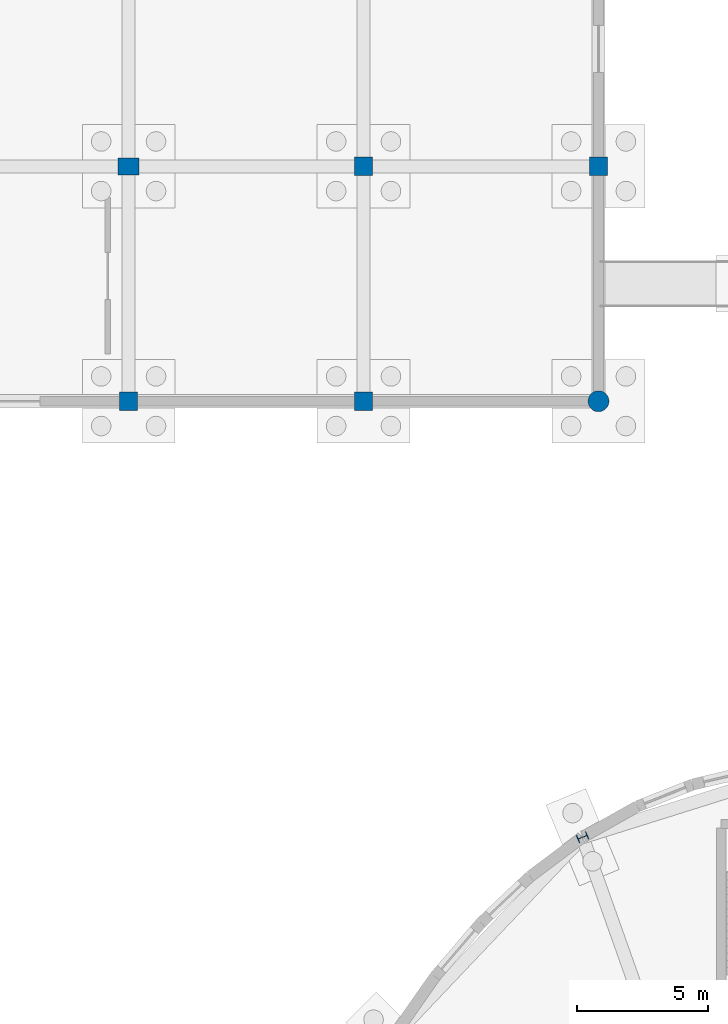
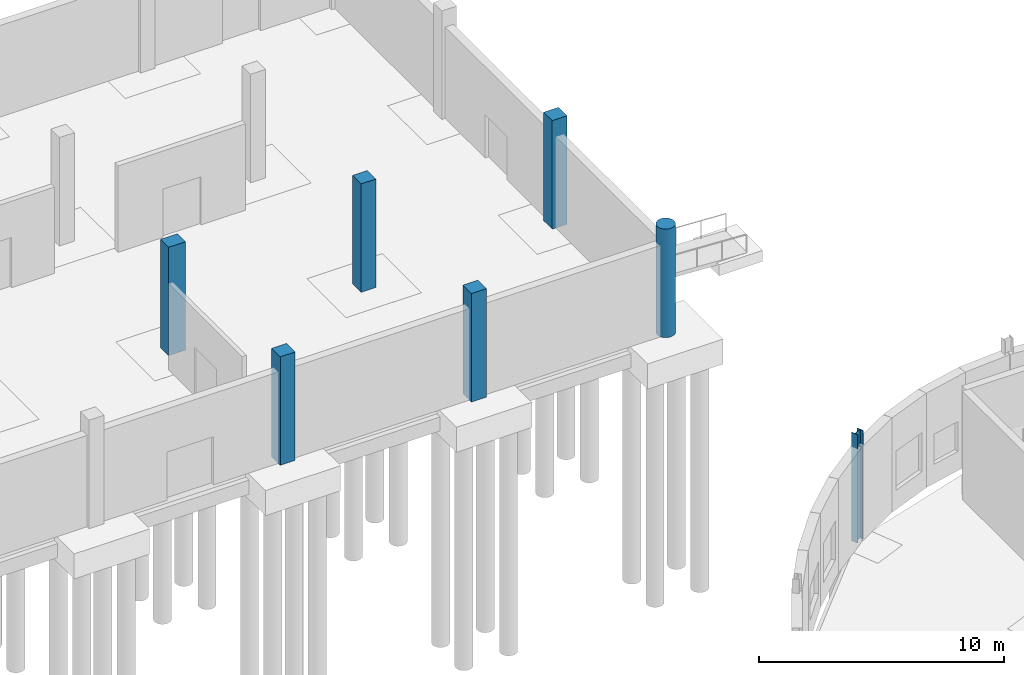
# One storey, part 49 of 118: 7 columns.
"""IFC4 building model written with IfcOpenShell, lengths in metres."""

from ifc_helpers import new_model, si_unit, direction, frame, origin, origin_2d, place, context, subcontext, project, spatial, rectangle, circle, i_section, extrude, material, material_profile, profile_set, type_object, element, save


model = new_model("IFC4")

# Units and contexts
model_context = context("Model", 3, precision=1e-05, world=origin(), true_north=direction((0.0, 1.0)))
body_context = subcontext(model_context, "Body", "Model", "MODEL_VIEW")
ifc_project = project(units=[si_unit("LENGTHUNIT", "METRE"), si_unit("AREAUNIT", "SQUARE_METRE"), si_unit("VOLUMEUNIT", "CUBIC_METRE"), si_unit("PLANEANGLEUNIT", "RADIAN"), si_unit("MASSUNIT", "GRAM", prefix="KILO")], contexts=[model_context])

# Site, building, storey
site_placement = place(None, origin())
site = spatial("IfcSite", under=ifc_project, at=site_placement, CompositionType="ELEMENT")
building_placement = place(site_placement, origin())
building = spatial("IfcBuilding", under=site, at=building_placement, Name="Kildeholm Park Wholesale Market", CompositionType="ELEMENT")
storey_placement = place(building_placement, origin())
storey = spatial("IfcBuildingStorey", under=building, at=storey_placement, Name="L00", CompositionType="ELEMENT", Elevation=0.0)

# Columns
ifc_material_1 = material(Name="Concrete C40/50", Category="concrete")
ifc_material_profile_1 = material_profile(ifc_material_1, rectangle(XDim=0.699951171875, YDim=0.699951171875, at=origin_2d()), Name="RC 700x700")
ifc_profile_set_1 = profile_set([ifc_material_profile_1], Name="Concrete C40/50")
column_type_1 = type_object("IfcColumnType", Name="Column C-R03 RC 700x700", PredefinedType="COLUMN", material=ifc_profile_set_1)
for number, where, z_axis, x_axis, name in (
    (1, (162.0, 144.0, 0.0), (0.0, 0.0, 1.0), (1.0, 0.0, 0.0), "Column V4-162-144 L00 COL-0607"),
    (2, (171.0, 144.0, 0.0), (0.0, 0.0, 1.0), (1.0, 0.0, 0.0), "Column V4-171-144 L00 COL-0618"),
    (3, (171.0, 153.0, 0.0), (0.0, 0.0, 1.0), (1.0, 0.0, 0.0), "Column V4-171-153 L00 COL-0620"),
    (4, (180.0, 153.0, 0.0), (0.0, 0.0, 1.0), (1.0, 0.0, 0.0), "Column V4-180-153 L00 COL-0631"),
):
    element("IfcColumn", number, at=place(storey_placement, frame(where, z_axis=z_axis, x_axis=x_axis)), inside=storey, type_object=column_type_1, Name=name, PredefinedType="COLUMN", context=body_context, shape_type="SweptSolid", body=[
        extrude(rectangle(XDim=0.699951171875, YDim=0.699951171875, at=origin_2d()), origin(), (0.0, 0.0, 1.0), 5.39990234375),
    ])
ifc_material_profile_2 = material_profile(ifc_material_1, rectangle(XDim=0.800048828125, YDim=0.64990234375, at=origin_2d()), Name="RC 800x650")
ifc_profile_set_2 = profile_set([ifc_material_profile_2], Name="Concrete C40/50")
column_type_2 = type_object("IfcColumnType", Name="Column C-R04 RC 800x650", PredefinedType="COLUMN", material=ifc_profile_set_2)
column_1_placement = place(storey_placement, frame((162.0, 153.0, 0.0), z_axis=(0.0, 0.0, 1.0), x_axis=(1.0, 0.0, 0.0)))
element("IfcColumn", 5, at=column_1_placement, inside=storey, type_object=column_type_2, Name="Column V4-162-153 L00 COL-0609", PredefinedType="COLUMN", context=body_context, shape_type="SweptSolid", body=[
    extrude(rectangle(XDim=0.800048828125, YDim=0.64990234375, at=origin_2d()), origin(), (0.0, 0.0, 1.0), 5.39990234375),
])
ifc_material_profile_3 = material_profile(ifc_material_1, circle(Radius=0.39990234375, at=origin_2d()), Name="RC D800")
ifc_profile_set_3 = profile_set([ifc_material_profile_3], Name="Concrete C40/50")
column_type_3 = type_object("IfcColumnType", Name="Column C-R05 RC D800", PredefinedType="COLUMN", material=ifc_profile_set_3)
column_2_placement = place(storey_placement, frame((180.0, 144.0, 0.0), z_axis=(0.0, 0.0, 1.0), x_axis=(1.0, 0.0, 0.0)))
element("IfcColumn", 6, at=column_2_placement, inside=storey, type_object=column_type_3, Name="Column V4-180-144 L00 COL-0629", PredefinedType="COLUMN", context=body_context, shape_type="SweptSolid", body=[
    extrude(circle(Radius=0.39990234375, at=origin_2d()), origin(), (0.0, 0.0, 1.0), 5.39990234375),
])
ifc_material_2 = material(Name="Steel S355", Category="steel")
ifc_material_profile_4 = material_profile(ifc_material_2, i_section(OverallWidth=0.300048828125, OverallDepth=0.39990234375, WebThickness=0.013427734375, FlangeThickness=0.02392578125, FilletRadius=0.027099609375, at=origin_2d()), Name="HEB 400")
ifc_profile_set_4 = profile_set([ifc_material_profile_4], Name="Steel S355")
column_type_4 = type_object("IfcColumnType", Name="Column C-S05 HEB 400", PredefinedType="COLUMN", material=ifc_profile_set_4)
column_3_placement = place(storey_placement, frame((179.389892578125, 127.298095703125, 0.0), z_axis=(0.0, 0.0, 1.0), x_axis=(-0.382683432365, 0.923879532511, 0.0)))
element("IfcColumn", 7, at=column_3_placement, inside=storey, type_object=column_type_4, Name="Column V2-OT-05 L00 COL-0245", PredefinedType="COLUMN", context=body_context, shape_type="SweptSolid", body=[
    extrude(i_section(OverallWidth=0.300048828125, OverallDepth=0.39990234375, WebThickness=0.013427734375, FlangeThickness=0.02392578125, FilletRadius=0.027099609375, at=origin_2d()), origin(), (0.0, 0.0, 1.0), 5.39990234375),
])

save(model, "model.ifc")
